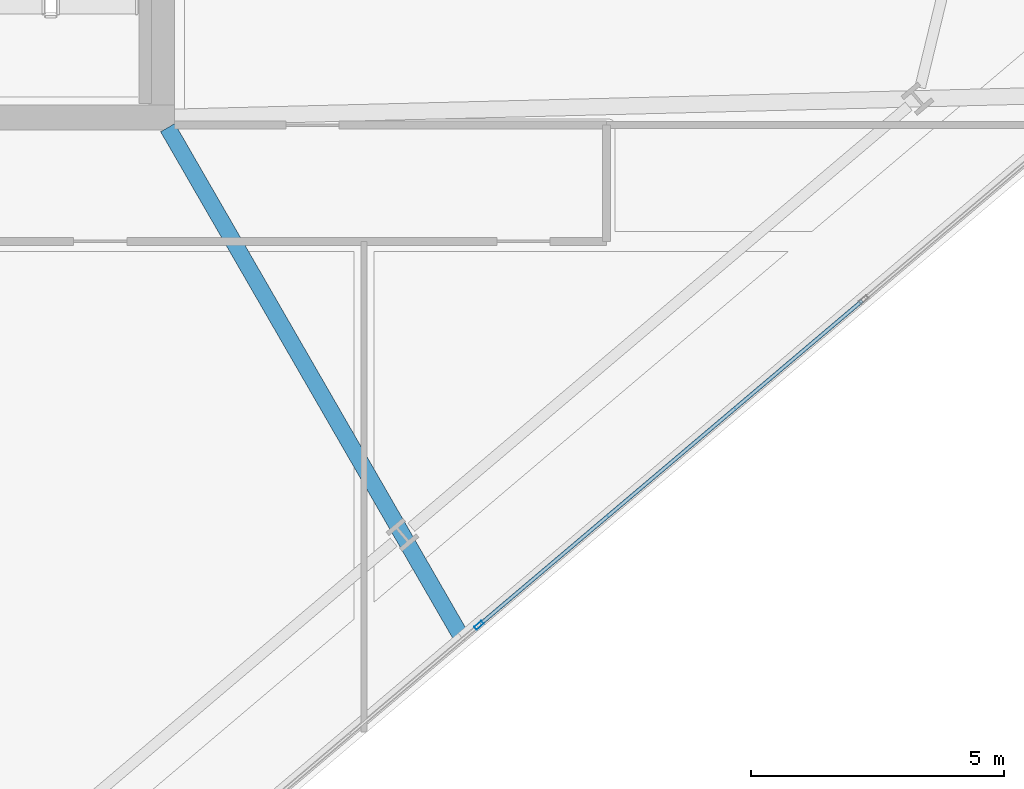
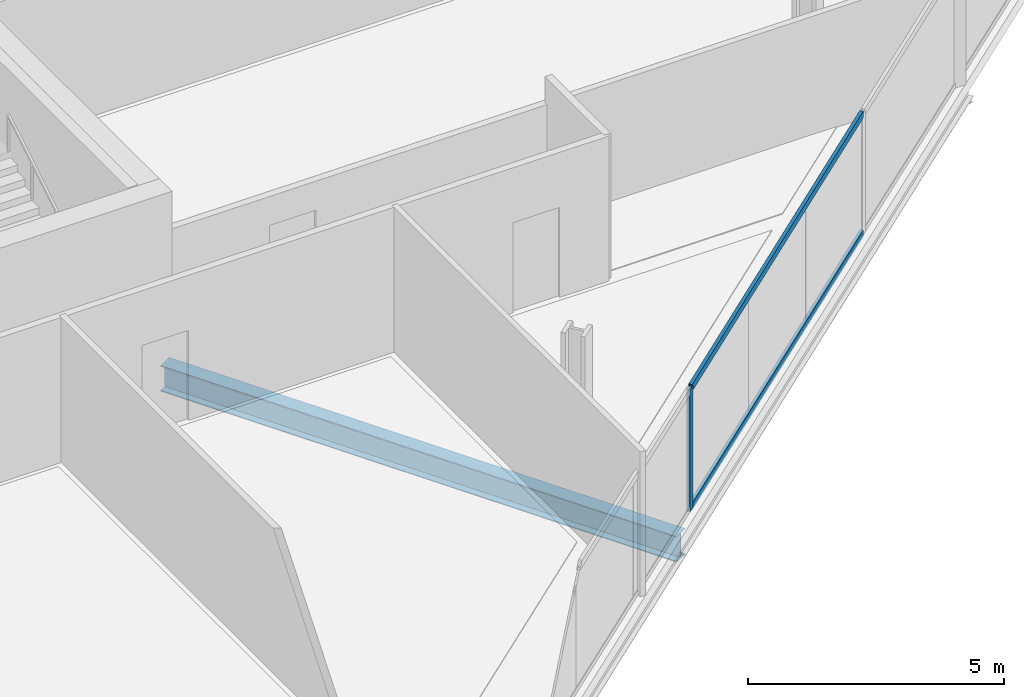
# One storey, part 10 of 34: 3 members, 1 beam, 1 element without a shape of its own.
"""IFC4 building model written with IfcOpenShell, lengths in metres."""

from ifc_helpers import new_model, si_unit, direction, frame, origin, origin_2d, place, context, subcontext, project, spatial, hollow_rectangle, i_section, extrude, material, material_profile, profile_set, type_object, element, aggregate, save


model = new_model("IFC4")

# Units and contexts
model_context = context("Model", 3, precision=1e-05, world=origin(), true_north=direction((0.0, 1.0)))
body_context = subcontext(model_context, "Body", "Model", "MODEL_VIEW")
ifc_project = project(units=[si_unit("LENGTHUNIT", "METRE"), si_unit("AREAUNIT", "SQUARE_METRE"), si_unit("VOLUMEUNIT", "CUBIC_METRE"), si_unit("PLANEANGLEUNIT", "RADIAN"), si_unit("MASSUNIT", "GRAM", prefix="KILO")], contexts=[model_context])

# Site, building, storey
site_placement = place(None, origin())
site = spatial("IfcSite", under=ifc_project, at=site_placement, CompositionType="ELEMENT")
building_placement = place(site_placement, origin())
building = spatial("IfcBuilding", under=site, at=building_placement, Name="Haldenkirk Collegiate Tower", CompositionType="ELEMENT")
storey_placement = place(building_placement, frame((0.0, 0.0, 163.199951171875)))
storey = spatial("IfcBuildingStorey", under=building, at=storey_placement, Name="L40", CompositionType="ELEMENT", Elevation=163.199951171875)

# Beam
ifc_material_1 = material(Name="Steel ASTM A992 Grade 50", Category="steel")
ifc_material_profile_1 = material_profile(ifc_material_1, i_section(OverallWidth=0.324951171875, OverallDepth=0.615966796875, WebThickness=0.013916015625, FlangeThickness=0.021484375, at=origin_2d()), Name="W24X117")
ifc_profile_set_1 = profile_set([ifc_material_profile_1], Name="Steel ASTM A992 Grade 50")
beam_type = type_object("IfcBeamType", Name="BM-GIRDER-W24X117", PredefinedType="BEAM", material=ifc_profile_set_1)
beam_placement = place(storey_placement, frame((50.932861328125, 7.7138671875, -0.597900390625), z_axis=(-0.499625647279, 0.866241428576, 0.0), x_axis=(-0.866241428576, -0.499625647279, 0.0)))
element("IfcBeam", 1, at=beam_placement, inside=storey, type_object=beam_type, Name="L40 primary floor girder 06", PredefinedType="BEAM", context=body_context, shape_type="SweptSolid", body=[
    extrude(i_section(OverallWidth=0.324951171875, OverallDepth=0.615966796875, WebThickness=0.013916015625, FlangeThickness=0.021484375, at=origin_2d()), origin(), (0.0, 0.0, 1.0), 11.64453125),
])

# Curtain wall, members
ifc_material_2 = material(Name="Anodised architectural bronze aluminium", Category="aluminium")
curtain_wall_type = type_object("IfcCurtainWallType", Name="CW-SYS2-CONCAVE", PredefinedType="USERDEFINED", material=ifc_material_2)
curtain_wall_placement = place(storey_placement, origin())
curtain_wall = element("IfcCurtainWall", 2, at=curtain_wall_placement, inside=storey, type_object=curtain_wall_type, Name="L40 South concave recessed bronze-anodised curtain wall", ObjectType="UNITISED CURTAIN WALL", PredefinedType="USERDEFINED")
ifc_material_profile_2 = material_profile(ifc_material_2, hollow_rectangle(XDim=0.074951171875, YDim=0.18994140625, WallThickness=0.0048828125, at=origin_2d()), Name="CW-MUL-02")
ifc_profile_set_2 = profile_set([ifc_material_profile_2], Name="Anodised architectural bronze aluminium")
member_type_1 = type_object("IfcMemberType", Name="CW-MUL-02", PredefinedType="MULLION", material=ifc_profile_set_2)
member_1_placement = place(storey_placement, frame((51.277587890625, 7.953369140625, 0.0), z_axis=(0.0, 0.0, 1.0), x_axis=(0.646124454254, -0.763232067994, 0.0)))
member_1 = element("IfcMember", 3, at=member_1_placement, type_object=member_type_1, Name="CW-02 mullion 3", PredefinedType="MULLION", context=body_context, shape_type="SweptSolid", body=[
    extrude(hollow_rectangle(XDim=0.074951171875, YDim=0.18994140625, WallThickness=0.0048828125, at=origin_2d()), origin(), (0.0, 0.0, 1.0), 2.9111328125),
])
ifc_material_profile_3 = material_profile(ifc_material_2, hollow_rectangle(XDim=0.074951171875, YDim=0.159912109375, WallThickness=0.0048828125, at=origin_2d()), Name="CW-TRN-02")
ifc_profile_set_3 = profile_set([ifc_material_profile_3], Name="Anodised architectural bronze aluminium")
member_type_2 = type_object("IfcMemberType", Name="CW-TRN-02", PredefinedType="USERDEFINED", material=ifc_profile_set_3)
member_2_placement = place(storey_placement, frame((58.8623046875, 14.374267578125, 0.03759765625), z_axis=(-0.763233795918, -0.646122413145, 0.0), x_axis=(0.646122413145, -0.763233795918, 0.0)))
member_2 = element("IfcMember", 4, at=member_2_placement, type_object=member_type_2, Name="CW-02 transom 2.1", ObjectType="TRANSOM", PredefinedType="USERDEFINED", context=body_context, shape_type="SweptSolid", body=[
    extrude(hollow_rectangle(XDim=0.074951171875, YDim=0.159912109375, WallThickness=0.0048828125, at=origin_2d()), origin(), (0.0, 0.0, 1.0), 9.900146484375),
])
member_3_placement = place(storey_placement, frame((58.8623046875, 14.374267578125, 2.87353515625), z_axis=(-0.763233795918, -0.646122413145, 0.0), x_axis=(0.646122413145, -0.763233795918, 0.0)))
member_3 = element("IfcMember", 5, at=member_3_placement, type_object=member_type_2, Name="CW-02 transom 2.2", ObjectType="TRANSOM", PredefinedType="USERDEFINED", context=body_context, shape_type="SweptSolid", body=[
    extrude(hollow_rectangle(XDim=0.074951171875, YDim=0.159912109375, WallThickness=0.0048828125, at=origin_2d()), origin(), (0.0, 0.0, 1.0), 9.900146484375),
])
aggregate(curtain_wall, [member_1, member_2, member_3])

save(model, "model.ifc")
